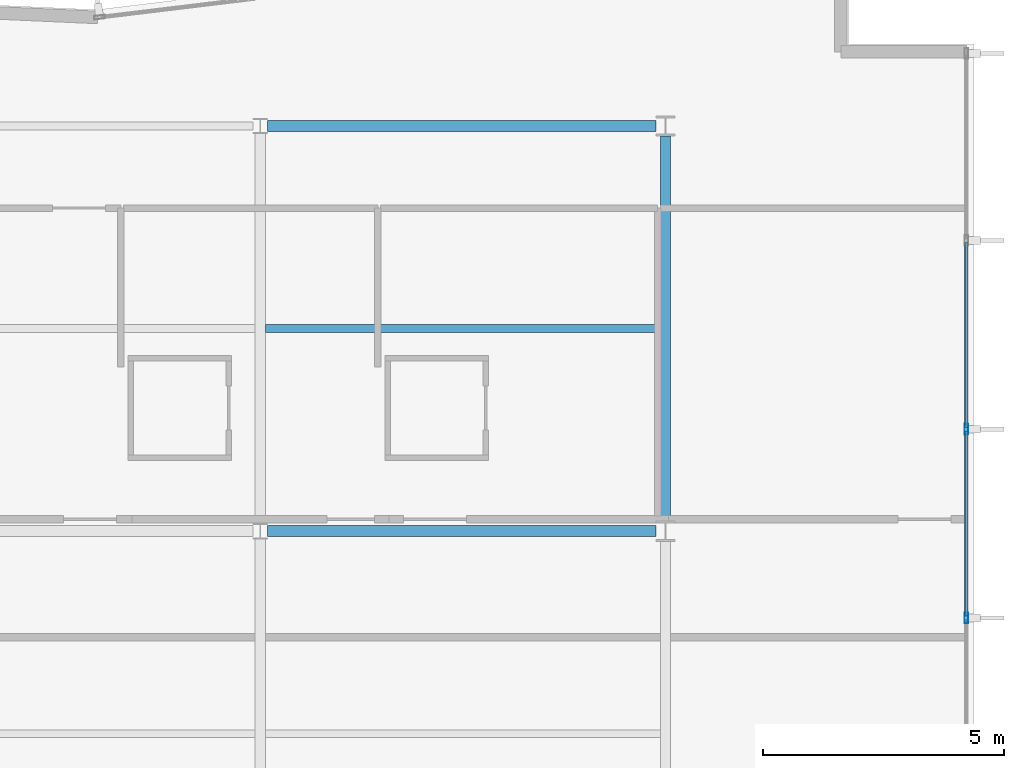
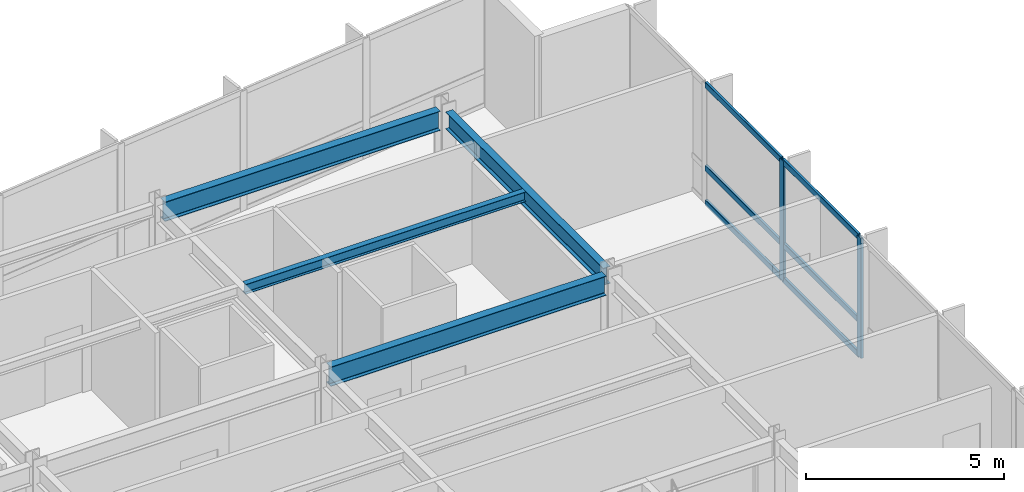
# One storey, part 7 of 18: 8 members, 4 beams, 1 element without a shape of its own.
"""IFC4 building model written with IfcOpenShell, lengths in metres."""

from ifc_helpers import new_model, si_unit, direction, frame, origin, origin_2d, place, context, subcontext, project, spatial, hollow_rectangle, i_section, extrude, material, layer, layer_set, material_profile, profile_set, type_object, element, aggregate, save


model = new_model("IFC4")

# Units and contexts
model_context = context("Model", 3, precision=1e-05, world=origin(), true_north=direction((0.0, 1.0)))
body_context = subcontext(model_context, "Body", "Model", "MODEL_VIEW")
ifc_project = project(units=[si_unit("LENGTHUNIT", "METRE"), si_unit("AREAUNIT", "SQUARE_METRE"), si_unit("VOLUMEUNIT", "CUBIC_METRE"), si_unit("PLANEANGLEUNIT", "RADIAN"), si_unit("MASSUNIT", "GRAM", prefix="KILO")], contexts=[model_context])

# Site, building, storey
site_placement = place(None, origin())
site = spatial("IfcSite", under=ifc_project, at=site_placement, CompositionType="ELEMENT")
building_placement = place(site_placement, origin())
building = spatial("IfcBuilding", under=site, at=building_placement, Name="Varnakote Quay Hospital", CompositionType="ELEMENT")
storey_placement = place(building_placement, frame((0.0, 0.0, 142.85009765625)))
storey = spatial("IfcBuildingStorey", under=building, at=storey_placement, Name="L35", CompositionType="ELEMENT", Elevation=142.85009765625)

# Beams
ifc_material_1 = material(Name="Structural steel AS/NZS 3679.1 Grade 350 L0 (fy 340 MPa)", Category="steel")
ifc_material_profile_1 = material_profile(ifc_material_1, i_section(OverallWidth=0.208984375, OverallDepth=0.532958984375, WebThickness=0.01025390625, FlangeThickness=0.015625, FilletRadius=0.013916015625, at=origin_2d()), Name="530UB92.4")
ifc_profile_set_1 = profile_set([ifc_material_profile_1], Name="Structural steel AS/NZS 3679.1 Grade 350 L0 (fy 340 MPa)")
beam_type_1 = type_object("IfcBeamType", Name="BM-STL-530UB92-4", PredefinedType="BEAM", material=ifc_profile_set_1)
beam_1_placement = place(storey_placement, frame((50.39990234375, 20.610107421875, 3.443359375), z_axis=(0.0, 1.0, 0.0), x_axis=(-1.0, 0.0, 0.0)))
element("IfcBeam", 1, at=beam_1_placement, inside=storey, type_object=beam_type_1, Name="L35 Primary Tie Beam", PredefinedType="BEAM", context=body_context, shape_type="SweptSolid", body=[
    extrude(i_section(OverallWidth=0.208984375, OverallDepth=0.532958984375, WebThickness=0.01025390625, FlangeThickness=0.015625, FilletRadius=0.013916015625, at=origin_2d()), origin(), (0.0, 0.0, 1.0), 7.97998046875),
])
ifc_material_2 = material(Name="Structural steel AS/NZS 3679.1 Grade 350 L0 (fy 340 MPa)", Category="steel")
ifc_material_profile_2 = material_profile(ifc_material_2, i_section(OverallWidth=0.22802734375, OverallDepth=0.60205078125, WebThickness=0.010498046875, FlangeThickness=0.014892578125, FilletRadius=0.013916015625, at=origin_2d()), Name="610UB101")
ifc_profile_set_2 = profile_set([ifc_material_profile_2], Name="Structural steel AS/NZS 3679.1 Grade 350 L0 (fy 340 MPa)")
beam_type_2 = type_object("IfcBeamType", Name="BM-STL-610UB101", PredefinedType="BEAM", material=ifc_profile_set_2)
for number, where, z_axis, x_axis, name in (
    (2, (42.153564453125, 20.39990234375, 3.408935546875), (1.0, 0.0, 0.0), (0.0, 1.0, 0.0), "L35 Primary Floor Beam"),
    (3, (42.153564453125, 28.800048828125, 3.408935546875), (1.0, 0.0, 0.0), (0.0, 1.0, 0.0), "L35 Primary Floor Beam"),
):
    element("IfcBeam", number, at=place(storey_placement, frame(where, z_axis=z_axis, x_axis=x_axis)), inside=storey, type_object=beam_type_2, Name=name, PredefinedType="BEAM", context=body_context, shape_type="SweptSolid", body=[
        extrude(i_section(OverallWidth=0.22802734375, OverallDepth=0.60205078125, WebThickness=0.010498046875, FlangeThickness=0.014892578125, FilletRadius=0.013916015625, at=origin_2d()), origin(), (0.0, 0.0, 1.0), 8.04638671875),
    ])

# Curtain wall, members
ifc_material_3 = material(Name="Anodised aluminium 6063-T6 Bronze", Category="aluminium")
ifc_layer = layer(ifc_material_3, 0.205078125)
ifc_layer_set = layer_set([ifc_layer], Name="Anodised aluminium 6063-T6 Bronze")
curtain_wall_type = type_object("IfcCurtainWallType", Name="CW-SYS-3", PredefinedType="NOTDEFINED", material=ifc_layer_set)
curtain_wall_placement = place(storey_placement, origin())
curtain_wall = element("IfcCurtainWall", 4, at=curtain_wall_placement, inside=storey, type_object=curtain_wall_type, Name="L35 Unitised Bronze Curtain Wall 1", PredefinedType="NOTDEFINED")
ifc_material_4 = material(Name="Anodised aluminium 6063-T6 Bronze", Category="aluminium")
ifc_material_profile_3 = material_profile(ifc_material_4, hollow_rectangle(XDim=0.074951171875, YDim=0.219970703125, WallThickness=0.00439453125, InnerFilletRadius=0.00439453125, OuterFilletRadius=0.009033203125, at=origin_2d()), Name="CW-MULL-220x75")
ifc_profile_set_3 = profile_set([ifc_material_profile_3], Name="Anodised aluminium 6063-T6 Bronze")
member_type_1 = type_object("IfcMemberType", Name="CW-MULL-220x75", PredefinedType="MULLION", material=ifc_profile_set_3)
member_1_placement = place(storey_placement, frame((56.639892578125, 18.60009765625, 0.0), z_axis=(0.0, 0.0, 1.0), x_axis=(-1.0, 0.0, 0.0)))
member_1 = element("IfcMember", 5, at=member_1_placement, type_object=member_type_1, Name="-3-L35-1 mullion 4", PredefinedType="MULLION", context=body_context, shape_type="SweptSolid", body=[
    extrude(hollow_rectangle(XDim=0.074951171875, YDim=0.219970703125, WallThickness=0.00439453125, InnerFilletRadius=0.00439453125, OuterFilletRadius=0.009033203125, at=origin_2d()), origin(), (0.0, 0.0, 1.0), 3.7099609375),
])
member_2_placement = place(storey_placement, frame((56.639892578125, 22.513427734375, 0.0), z_axis=(0.0, 0.0, 1.0), x_axis=(-1.0, 0.0, 0.0)))
member_2 = element("IfcMember", 6, at=member_2_placement, type_object=member_type_1, Name="-3-L35-1 mullion 5", PredefinedType="MULLION", context=body_context, shape_type="SweptSolid", body=[
    extrude(hollow_rectangle(XDim=0.074951171875, YDim=0.219970703125, WallThickness=0.00439453125, InnerFilletRadius=0.00439453125, OuterFilletRadius=0.009033203125, at=origin_2d()), origin(), (0.0, 0.0, 1.0), 3.7099609375),
])
ifc_material_5 = material(Name="Anodised aluminium 6063-T6 Bronze", Category="aluminium")
ifc_material_profile_4 = material_profile(ifc_material_5, hollow_rectangle(XDim=0.074951171875, YDim=0.179931640625, WallThickness=0.004150390625, InnerFilletRadius=0.004150390625, OuterFilletRadius=0.00830078125, at=origin_2d()), Name="CW-TRAN-180x75")
ifc_profile_set_4 = profile_set([ifc_material_profile_4], Name="Anodised aluminium 6063-T6 Bronze")
member_type_2 = type_object("IfcMemberType", Name="CW-TRAN-180x75", PredefinedType="USERDEFINED", material=ifc_profile_set_4)
member_3_placement = place(storey_placement, frame((56.639892578125, 18.637451171875, 0.037353515625), z_axis=(0.0, 1.0, 0.0), x_axis=(-1.0, 0.0, 0.0)))
member_3 = element("IfcMember", 7, at=member_3_placement, type_object=member_type_2, Name="-3-L35-1 transom 4.1", ObjectType="TRANSOM", PredefinedType="USERDEFINED", context=body_context, shape_type="SweptSolid", body=[
    extrude(hollow_rectangle(XDim=0.074951171875, YDim=0.179931640625, WallThickness=0.004150390625, InnerFilletRadius=0.004150390625, OuterFilletRadius=0.00830078125, at=origin_2d()), origin(), (0.0, 0.0, 1.0), 3.83837890625),
])
member_4_placement = place(storey_placement, frame((56.639892578125, 18.637451171875, 1.099853515625), z_axis=(0.0, 1.0, 0.0), x_axis=(-1.0, 0.0, 0.0)))
member_4 = element("IfcMember", 8, at=member_4_placement, type_object=member_type_2, Name="-3-L35-1 transom 4.2", ObjectType="TRANSOM", PredefinedType="USERDEFINED", context=body_context, shape_type="SweptSolid", body=[
    extrude(hollow_rectangle(XDim=0.074951171875, YDim=0.179931640625, WallThickness=0.004150390625, InnerFilletRadius=0.004150390625, OuterFilletRadius=0.00830078125, at=origin_2d()), origin(), (0.0, 0.0, 1.0), 3.83837890625),
])
member_5_placement = place(storey_placement, frame((56.639892578125, 18.637451171875, 3.67236328125), z_axis=(0.0, 1.0, 0.0), x_axis=(-1.0, 0.0, 0.0)))
member_5 = element("IfcMember", 9, at=member_5_placement, type_object=member_type_2, Name="-3-L35-1 transom 4.3", ObjectType="TRANSOM", PredefinedType="USERDEFINED", context=body_context, shape_type="SweptSolid", body=[
    extrude(hollow_rectangle(XDim=0.074951171875, YDim=0.179931640625, WallThickness=0.004150390625, InnerFilletRadius=0.004150390625, OuterFilletRadius=0.00830078125, at=origin_2d()), origin(), (0.0, 0.0, 1.0), 3.83837890625),
])
member_6_placement = place(storey_placement, frame((56.639892578125, 22.55078125, 0.037353515625), z_axis=(0.0, 1.0, 0.0), x_axis=(-1.0, 0.0, 0.0)))
member_6 = element("IfcMember", 10, at=member_6_placement, type_object=member_type_2, Name="-3-L35-1 transom 5.1", ObjectType="TRANSOM", PredefinedType="USERDEFINED", context=body_context, shape_type="SweptSolid", body=[
    extrude(hollow_rectangle(XDim=0.074951171875, YDim=0.179931640625, WallThickness=0.004150390625, InnerFilletRadius=0.004150390625, OuterFilletRadius=0.00830078125, at=origin_2d()), origin(), (0.0, 0.0, 1.0), 3.83837890625),
])
member_7_placement = place(storey_placement, frame((56.639892578125, 22.55078125, 1.099853515625), z_axis=(0.0, 1.0, 0.0), x_axis=(-1.0, 0.0, 0.0)))
member_7 = element("IfcMember", 11, at=member_7_placement, type_object=member_type_2, Name="-3-L35-1 transom 5.2", ObjectType="TRANSOM", PredefinedType="USERDEFINED", context=body_context, shape_type="SweptSolid", body=[
    extrude(hollow_rectangle(XDim=0.074951171875, YDim=0.179931640625, WallThickness=0.004150390625, InnerFilletRadius=0.004150390625, OuterFilletRadius=0.00830078125, at=origin_2d()), origin(), (0.0, 0.0, 1.0), 3.83837890625),
])
member_8_placement = place(storey_placement, frame((56.639892578125, 22.55078125, 3.67236328125), z_axis=(0.0, 1.0, 0.0), x_axis=(-1.0, 0.0, 0.0)))
member_8 = element("IfcMember", 12, at=member_8_placement, type_object=member_type_2, Name="-3-L35-1 transom 5.3", ObjectType="TRANSOM", PredefinedType="USERDEFINED", context=body_context, shape_type="SweptSolid", body=[
    extrude(hollow_rectangle(XDim=0.074951171875, YDim=0.179931640625, WallThickness=0.004150390625, InnerFilletRadius=0.004150390625, OuterFilletRadius=0.00830078125, at=origin_2d()), origin(), (0.0, 0.0, 1.0), 3.83837890625),
])
aggregate(curtain_wall, [member_1, member_2, member_3, member_4, member_5, member_6, member_7, member_8])

# Beam
ifc_material_6 = material(Name="Structural steel AS/NZS 3679.1 Grade 350 L0 (fy 340 MPa)", Category="steel")
ifc_material_profile_5 = material_profile(ifc_material_6, i_section(OverallWidth=0.1650390625, OverallDepth=0.303955078125, WebThickness=0.006103515625, FlangeThickness=0.01025390625, FilletRadius=0.011474609375, at=origin_2d()), Name="310UB40.4")
ifc_profile_set_5 = profile_set([ifc_material_profile_5], Name="Structural steel AS/NZS 3679.1 Grade 350 L0 (fy 340 MPa)")
beam_type_3 = type_object("IfcBeamType", Name="JST-STL-310UB40-4", PredefinedType="JOIST", material=ifc_profile_set_5)
beam_2_placement = place(storey_placement, frame((42.1044921875, 24.60009765625, 3.557861328125), z_axis=(1.0, 0.0, 0.0), x_axis=(0.0, 1.0, 0.0)))
element("IfcBeam", 13, at=beam_2_placement, inside=storey, type_object=beam_type_3, Name="L35 Composite Floor Joist", PredefinedType="JOIST", context=body_context, shape_type="SweptSolid", body=[
    extrude(i_section(OverallWidth=0.1650390625, OverallDepth=0.303955078125, WebThickness=0.006103515625, FlangeThickness=0.01025390625, FilletRadius=0.011474609375, at=origin_2d()), origin(), (0.0, 0.0, 1.0), 8.19091796875),
])

save(model, "model.ifc")
